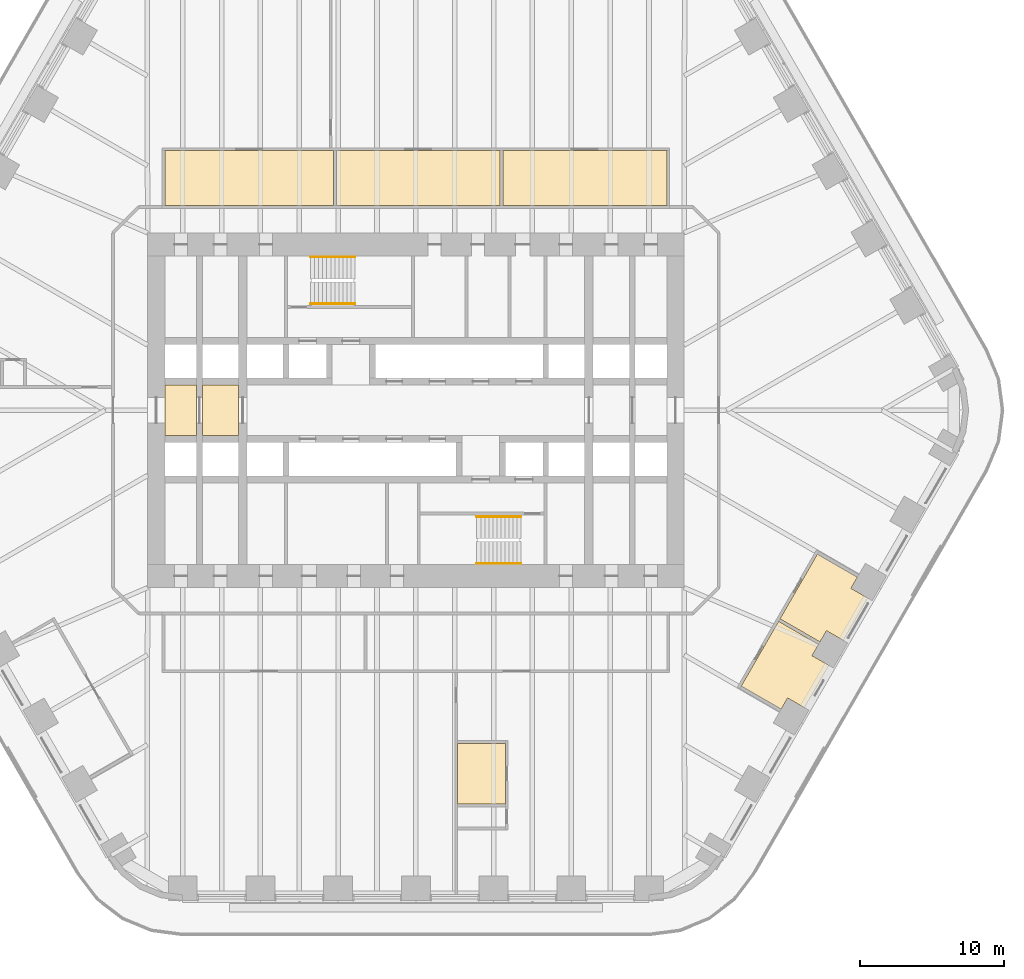
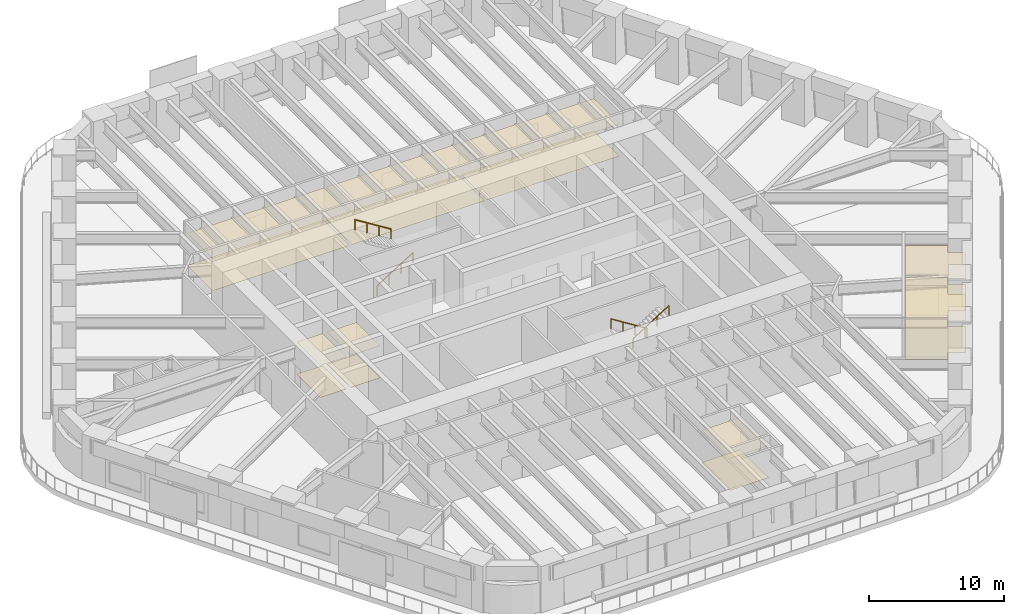
# One storey, part 21 of 23: 6 coverings, 4 railings.
"""IFC4 building model written with IfcOpenShell, lengths in metres."""

from ifc_helpers import new_model, si_unit, direction, frame, origin, origin_2d, place, context, subcontext, project, spatial, polyline, circle, outline, extrude, material, layer, layer_set, type_object, element, save


model = new_model("IFC4")

# Units and contexts
model_context = context("Model", 3, precision=1e-05, world=origin(), true_north=direction((0.0, 1.0)))
body_context = subcontext(model_context, "Body", "Model", "MODEL_VIEW")
ifc_project = project(units=[si_unit("LENGTHUNIT", "METRE"), si_unit("AREAUNIT", "SQUARE_METRE"), si_unit("VOLUMEUNIT", "CUBIC_METRE"), si_unit("PLANEANGLEUNIT", "RADIAN"), si_unit("MASSUNIT", "GRAM", prefix="KILO")], contexts=[model_context])

# Site, building, storey
site_placement = place(None, origin())
site = spatial("IfcSite", under=ifc_project, at=site_placement, CompositionType="ELEMENT")
building_placement = place(site_placement, origin())
building = spatial("IfcBuilding", under=site, at=building_placement, Name="Tarfa Lantern Tower", CompositionType="ELEMENT")
storey_placement = place(building_placement, frame((0.0, 0.0, 78.10009765625)))
storey = spatial("IfcBuildingStorey", under=building, at=storey_placement, Name="L17", CompositionType="ELEMENT", Elevation=78.10009765625)

# Coverings
ifc_material_1 = material(Name="Mineral fibre acoustic tile on suspension grid", Category="finish")
ifc_layer_1 = layer(ifc_material_1, 0.02001953125)
ifc_layer_set_1 = layer_set([ifc_layer_1], Name="CL1 ACOUSTIC TILE CEILING 20")
covering_type_1 = type_object("IfcCoveringType", Name="CL1 ACOUSTIC TILE CEILING 20", PredefinedType="CEILING", material=ifc_layer_set_1)
covering_1_placement = place(storey_placement, frame((0.0, 0.0, 2.89990234375)))
element("IfcCovering", 1, at=covering_1_placement, inside=storey, type_object=covering_type_1, Name="Ceiling L17 CL1", PredefinedType="CEILING", context=body_context, shape_type="SweptSolid", body=[
    extrude(outline(polyline([(-17.39990234375, 18.0), (-5.699951171875, 18.0), (-5.699951171875, 14.199951171875), (-17.39990234375, 14.199951171875), (-17.39990234375, 18.0)])), origin(), (0.0, 0.0, 1.0), 0.02001953125),
    extrude(outline(polyline([(-5.5, 18.0), (5.85009765625, 18.0), (5.85009765625, 14.199951171875), (-5.5, 14.199951171875), (-5.5, 18.0)])), origin(), (0.0, 0.0, 1.0), 0.02001953125),
    extrude(outline(polyline([(6.050048828125, 18.0), (17.39990234375, 18.0), (17.39990234375, 14.199951171875), (6.050048828125, 14.199951171875), (6.050048828125, 18.0)])), origin(), (0.0, 0.0, 1.0), 0.02001953125),
    extrude(outline(polyline([(25.1513671875, -14.63671875), (27.922607421875, -16.236572265625), (27.47265625, -17.01611328125), (28.641845703125, -17.69091796875), (26.947509765625, -20.625732421875), (25.7783203125, -19.95068359375), (25.328369140625, -20.72998046875), (22.55712890625, -19.130126953125), (25.1513671875, -14.63671875)])), origin(), (0.0, 0.0, 1.0), 0.02001953125),
    extrude(outline(polyline([(27.845703125, -9.969970703125), (30.616943359375, -11.56982421875), (30.1669921875, -12.349365234375), (31.3359375, -13.0244140625), (29.641845703125, -15.958984375), (28.47265625, -15.283935546875), (28.022705078125, -16.0634765625), (25.251220703125, -14.46337890625), (27.845703125, -9.969970703125)])), origin(), (0.0, 0.0, 1.0), 0.02001953125),
    extrude(outline(polyline([(6.199951171875, -27.300048828125), (2.89990234375, -27.300048828125), (2.89990234375, -23.10009765625), (6.199951171875, -23.10009765625), (6.199951171875, -27.300048828125)])), origin(), (0.0, 0.0, 1.0), 0.02001953125),
])
ifc_material_2 = material(Name="Powder-coated aluminium panel", Category="aluminium")
ifc_layer_2 = layer(ifc_material_2, 0.030029296875)
ifc_layer_set_2 = layer_set([ifc_layer_2], Name="CL3 METAL PANEL CEILING 30")
covering_type_2 = type_object("IfcCoveringType", Name="CL3 METAL PANEL CEILING 30", PredefinedType="CEILING", material=ifc_layer_set_2)
covering_2_placement = place(storey_placement, frame((0.0, 0.0, 2.89990234375)))
element("IfcCovering", 2, at=covering_2_placement, inside=storey, type_object=covering_type_2, Name="Ceiling L17-01", PredefinedType="CEILING", context=body_context, shape_type="SweptSolid", body=[
    extrude(outline(polyline([(-17.39990234375, -1.75), (-15.199951171875, -1.75), (-15.199951171875, 1.75), (-17.39990234375, 1.75), (-17.39990234375, -1.75)])), origin(), (0.0, 0.0, 1.0), 0.030029296875),
])
covering_3_placement = place(storey_placement, frame((0.0, 0.0, 2.89990234375)))
element("IfcCovering", 3, at=covering_3_placement, inside=storey, type_object=covering_type_2, Name="Ceiling L17-02", PredefinedType="CEILING", context=body_context, shape_type="SweptSolid", body=[
    extrude(outline(polyline([(-14.800048828125, -1.75), (-12.300048828125, -1.75), (-12.300048828125, 1.75), (-14.800048828125, 1.75), (-14.800048828125, -1.75)])), origin(), (0.0, 0.0, 1.0), 0.030029296875),
])
ifc_material_3 = material(Name="Nylon carpet tile", Category="finish")
ifc_layer_3 = layer(ifc_material_3, 0.010009765625)
ifc_layer_set_3 = layer_set([ifc_layer_3], Name="FL1 CARPET TILE 10")
covering_type_3 = type_object("IfcCoveringType", Name="FL1 CARPET TILE 10", PredefinedType="FLOORING", material=ifc_layer_set_3)
covering_4_placement = place(storey_placement, origin())
element("IfcCovering", 4, at=covering_4_placement, inside=storey, type_object=covering_type_3, Name="Floor finish L17 FL1", PredefinedType="FLOORING", context=body_context, shape_type="SweptSolid", body=[
    extrude(outline(polyline([(-17.39990234375, 18.0), (-5.699951171875, 18.0), (-5.699951171875, 14.199951171875), (-17.39990234375, 14.199951171875), (-17.39990234375, 18.0)])), origin(), (0.0, 0.0, 1.0), 0.010009765625),
    extrude(outline(polyline([(-5.5, 18.0), (5.85009765625, 18.0), (5.85009765625, 14.199951171875), (-5.5, 14.199951171875), (-5.5, 18.0)])), origin(), (0.0, 0.0, 1.0), 0.010009765625),
    extrude(outline(polyline([(6.050048828125, 18.0), (17.39990234375, 18.0), (17.39990234375, 14.199951171875), (6.050048828125, 14.199951171875), (6.050048828125, 18.0)])), origin(), (0.0, 0.0, 1.0), 0.010009765625),
    extrude(outline(polyline([(25.1513671875, -14.63671875), (27.922607421875, -16.236572265625), (27.47265625, -17.01611328125), (28.641845703125, -17.69091796875), (26.947509765625, -20.625732421875), (25.7783203125, -19.95068359375), (25.328369140625, -20.72998046875), (22.55712890625, -19.130126953125), (25.1513671875, -14.63671875)])), origin(), (0.0, 0.0, 1.0), 0.010009765625),
    extrude(outline(polyline([(27.845703125, -9.969970703125), (30.616943359375, -11.56982421875), (30.1669921875, -12.349365234375), (31.3359375, -13.0244140625), (29.641845703125, -15.958984375), (28.47265625, -15.283935546875), (28.022705078125, -16.0634765625), (25.251220703125, -14.46337890625), (27.845703125, -9.969970703125)])), origin(), (0.0, 0.0, 1.0), 0.010009765625),
    extrude(outline(polyline([(6.199951171875, -27.300048828125), (2.89990234375, -27.300048828125), (2.89990234375, -23.10009765625), (6.199951171875, -23.10009765625), (6.199951171875, -27.300048828125)])), origin(), (0.0, 0.0, 1.0), 0.010009765625),
])
ifc_material_4 = material(Name="Honed limestone flooring", Category="masonry")
ifc_layer_4 = layer(ifc_material_4, 0.030029296875)
ifc_layer_set_4 = layer_set([ifc_layer_4], Name="FL2 STONE FLOORING 30")
covering_type_4 = type_object("IfcCoveringType", Name="FL2 STONE FLOORING 30", PredefinedType="FLOORING", material=ifc_layer_set_4)
covering_5_placement = place(storey_placement, origin())
element("IfcCovering", 5, at=covering_5_placement, inside=storey, type_object=covering_type_4, Name="Floor finish L17-01", PredefinedType="FLOORING", context=body_context, shape_type="SweptSolid", body=[
    extrude(outline(polyline([(-17.39990234375, -1.75), (-15.199951171875, -1.75), (-15.199951171875, 1.75), (-17.39990234375, 1.75), (-17.39990234375, -1.75)])), origin(), (0.0, 0.0, 1.0), 0.02978515625),
])
covering_6_placement = place(storey_placement, origin())
element("IfcCovering", 6, at=covering_6_placement, inside=storey, type_object=covering_type_4, Name="Floor finish L17-02", PredefinedType="FLOORING", context=body_context, shape_type="SweptSolid", body=[
    extrude(outline(polyline([(-14.800048828125, -1.75), (-12.300048828125, -1.75), (-12.300048828125, 1.75), (-14.800048828125, 1.75), (-14.800048828125, -1.75)])), origin(), (0.0, 0.0, 1.0), 0.02978515625),
])

# Railings
ifc_material_5 = material(Name="Stainless steel", Category="steel")
railing_type = type_object("IfcRailingType", Name="HR1 HANDRAIL 900", PredefinedType="HANDRAIL", material=ifc_material_5)
railing_1_placement = place(storey_placement, frame((-7.300048828125, 7.3798828125, 0.1748046875)))
element("IfcRailing", 7, at=railing_1_placement, inside=storey, type_object=railing_type, Name="Handrail 1", PredefinedType="HANDRAIL", context=body_context, shape_type="SweptSolid", body=[
    extrude(circle(Radius=0.02392578125, at=origin_2d()), frame((0.0, 0.0, 0.8759765625), z_axis=(0.847998304005, 0.0, 0.529998940003), x_axis=(0.0, 1.0, 0.0)), (0.0, 0.0, 1.0), 3.632080078125),
    extrude(circle(Radius=0.02099609375, at=origin_2d()), frame((0.0, 0.0, 0.0), z_axis=(0.0, 0.0, 1.0), x_axis=(0.0, 1.0, 0.0)), (0.0, 0.0, 1.0), 0.851806640625),
    extrude(circle(Radius=0.02099609375, at=origin_2d()), frame((1.026611328125, 0.0, 0.6416015625), z_axis=(0.0, 0.0, 1.0), x_axis=(0.0, 1.0, 0.0)), (0.0, 0.0, 1.0), 0.851806640625),
    extrude(circle(Radius=0.02099609375, at=origin_2d()), frame((2.053466796875, 0.0, 1.283447265625), z_axis=(0.0, 0.0, 1.0), x_axis=(0.0, 1.0, 0.0)), (0.0, 0.0, 1.0), 0.851806640625),
    extrude(circle(Radius=0.02099609375, at=origin_2d()), frame((3.080078125, 0.0, 1.925048828125), z_axis=(0.0, 0.0, 1.0), x_axis=(0.0, 1.0, 0.0)), (0.0, 0.0, 1.0), 0.851806640625),
])
for number, where, name in (
    (8, (-4.219970703125, 10.6201171875, 2.27490234375), "Handrail 2"),
    (9, (7.300048828125, -7.3798828125, 0.1748046875), "Handrail 1"),
):
    element("IfcRailing", number, at=place(storey_placement, frame(where)), inside=storey, type_object=railing_type, Name=name, PredefinedType="HANDRAIL", context=body_context, shape_type="SweptSolid", body=[
        extrude(circle(Radius=0.02392578125, at=origin_2d()), frame((0.0, 0.0, 0.8759765625), z_axis=(-0.847998304005, 0.0, 0.529998940003), x_axis=(0.0, -1.0, 0.0)), (0.0, 0.0, 1.0), 3.632080078125),
        extrude(circle(Radius=0.02099609375, at=origin_2d()), frame((0.0, 0.0, 0.0), z_axis=(0.0, 0.0, 1.0), x_axis=(0.0, -1.0, 0.0)), (0.0, 0.0, 1.0), 0.851806640625),
        extrude(circle(Radius=0.02099609375, at=origin_2d()), frame((-1.026611328125, 0.0, 0.6416015625), z_axis=(0.0, 0.0, 1.0), x_axis=(0.0, -1.0, 0.0)), (0.0, 0.0, 1.0), 0.851806640625),
        extrude(circle(Radius=0.02099609375, at=origin_2d()), frame((-2.053466796875, 0.0, 1.283447265625), z_axis=(0.0, 0.0, 1.0), x_axis=(0.0, -1.0, 0.0)), (0.0, 0.0, 1.0), 0.851806640625),
        extrude(circle(Radius=0.02099609375, at=origin_2d()), frame((-3.080078125, 0.0, 1.925048828125), z_axis=(0.0, 0.0, 1.0), x_axis=(0.0, -1.0, 0.0)), (0.0, 0.0, 1.0), 0.851806640625),
    ])
railing_2_placement = place(storey_placement, frame((4.219970703125, -10.6201171875, 2.27490234375)))
element("IfcRailing", 10, at=railing_2_placement, inside=storey, type_object=railing_type, Name="Handrail 2", PredefinedType="HANDRAIL", context=body_context, shape_type="SweptSolid", body=[
    extrude(circle(Radius=0.02392578125, at=origin_2d()), frame((0.0, 0.0, 0.8759765625), z_axis=(0.847998304005, 0.0, 0.529998940003), x_axis=(0.0, 1.0, 0.0)), (0.0, 0.0, 1.0), 3.632080078125),
    extrude(circle(Radius=0.02099609375, at=origin_2d()), frame((0.0, 0.0, 0.0), z_axis=(0.0, 0.0, 1.0), x_axis=(0.0, 1.0, 0.0)), (0.0, 0.0, 1.0), 0.851806640625),
    extrude(circle(Radius=0.02099609375, at=origin_2d()), frame((1.026611328125, 0.0, 0.6416015625), z_axis=(0.0, 0.0, 1.0), x_axis=(0.0, 1.0, 0.0)), (0.0, 0.0, 1.0), 0.851806640625),
    extrude(circle(Radius=0.02099609375, at=origin_2d()), frame((2.053466796875, 0.0, 1.283447265625), z_axis=(0.0, 0.0, 1.0), x_axis=(0.0, 1.0, 0.0)), (0.0, 0.0, 1.0), 0.851806640625),
    extrude(circle(Radius=0.02099609375, at=origin_2d()), frame((3.080078125, 0.0, 1.925048828125), z_axis=(0.0, 0.0, 1.0), x_axis=(0.0, 1.0, 0.0)), (0.0, 0.0, 1.0), 0.851806640625),
])

save(model, "model.ifc")
